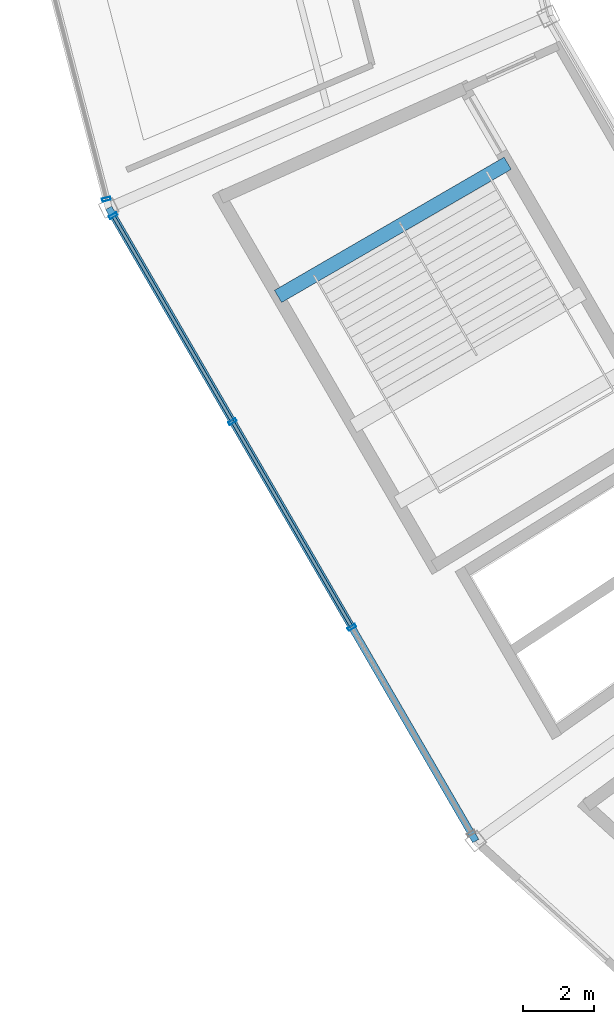
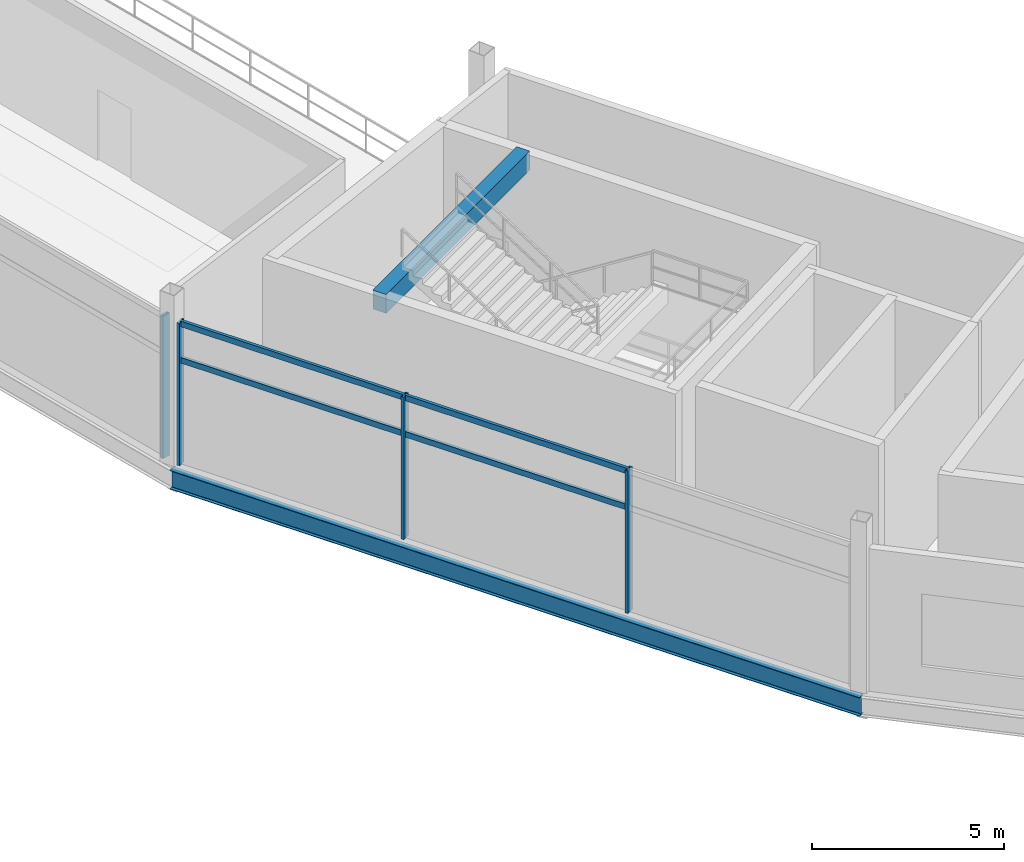
# One storey, part 17 of 103: 8 members, 2 beams, 2 elements without a shape of their own.
"""IFC4 building model written with IfcOpenShell, lengths in metres."""

from ifc_helpers import new_model, si_unit, direction, frame, origin, origin_2d, place, context, subcontext, project, spatial, rectangle, hollow_rectangle, i_section, extrude, material, layer, layer_set, material_profile, profile_set, type_object, element, aggregate, save


model = new_model("IFC4")

# Units and contexts
model_context = context("Model", 3, precision=1e-05, world=origin(), true_north=direction((0.0, 1.0)))
body_context = subcontext(model_context, "Body", "Model", "MODEL_VIEW")
ifc_project = project(units=[si_unit("LENGTHUNIT", "METRE"), si_unit("AREAUNIT", "SQUARE_METRE"), si_unit("VOLUMEUNIT", "CUBIC_METRE"), si_unit("PLANEANGLEUNIT", "RADIAN"), si_unit("MASSUNIT", "GRAM", prefix="KILO")], contexts=[model_context])

# Site, building, storey
site_placement = place(None, origin())
site = spatial("IfcSite", under=ifc_project, at=site_placement, CompositionType="ELEMENT")
building_placement = place(site_placement, origin())
building = spatial("IfcBuilding", under=site, at=building_placement, Name="Kazemori Nagisa Stadium", CompositionType="ELEMENT")
storey_placement = place(building_placement, frame((0.0, 0.0, 25.840087890625)))
storey = spatial("IfcBuildingStorey", under=building, at=storey_placement, Name="L05", CompositionType="ELEMENT", Elevation=25.840087890625)

# Beams
ifc_material_1 = material(Name="Concrete C40/50 (Fc42)", Category="concrete")
ifc_material_profile_1 = material_profile(ifc_material_1, rectangle(XDim=0.39990234375, YDim=0.60009765625, at=origin_2d()), Name="RC-BM-400x600")
ifc_profile_set_1 = profile_set([ifc_material_profile_1], Name="Concrete C40/50 (Fc42)")
beam_type_1 = type_object("IfcBeamType", Name="Beam_BG-LND400X600", PredefinedType="BEAM", material=ifc_profile_set_1)
beam_1_placement = place(storey_placement, frame((45.408203125, 64.5146484375, 4.8798828125), z_axis=(-0.865086463473, -0.50162277731, 0.0), x_axis=(0.50162277731, -0.865086463473, 0.0)))
element("IfcBeam", 1, at=beam_1_placement, inside=storey, type_object=beam_type_1, Name="Core stair arrival header girder ST09-L05", PredefinedType="BEAM", context=body_context, shape_type="SweptSolid", body=[
    extrude(rectangle(XDim=0.39990234375, YDim=0.60009765625, at=origin_2d()), origin(), (0.0, 0.0, 1.0), 7.513671875),
])
ifc_material_2 = material(Name="Steel SN490B", Category="steel")
ifc_material_profile_2 = material_profile(ifc_material_2, i_section(OverallWidth=0.199951171875, OverallDepth=0.60009765625, WebThickness=0.010986328125, FlangeThickness=0.01708984375, FilletRadius=0.012939453125, at=origin_2d()), Name="H-600x200x11x17")
ifc_profile_set_2 = profile_set([ifc_material_profile_2], Name="Steel SN490B")
beam_type_2 = type_object("IfcBeamType", Name="Beam_BS-H600", PredefinedType="SPANDREL", material=ifc_profile_set_2)
beam_2_placement = place(storey_placement, frame((34.114990234375, 63.25048828125, -0.56005859375), z_axis=(0.50161277459, -0.8650922635, 0.0), x_axis=(0.8650922635, 0.50161277459, 0.0)))
element("IfcBeam", 2, at=beam_2_placement, inside=storey, type_object=beam_type_2, Name="Ring girder BS-H600 L05 R3-17", PredefinedType="SPANDREL", context=body_context, shape_type="SweptSolid", body=[
    extrude(i_section(OverallWidth=0.199951171875, OverallDepth=0.60009765625, WebThickness=0.010986328125, FlangeThickness=0.01708984375, FilletRadius=0.012939453125, at=origin_2d()), origin(), (0.0, 0.0, 1.0), 20.71240234375),
])

# Curtain wall, member
ifc_material_3 = material(Name="Anodised aluminium 6063-T5", Category="aluminium")
ifc_layer_1 = layer(ifc_material_3, 0.239990234375, Name="Anodised aluminium 6063-T5", Category="aluminium")
ifc_layer_set_1 = layer_set([ifc_layer_1], Name="Anodised aluminium 6063-T5")
curtain_wall_type_1 = type_object("IfcCurtainWallType", Name="CW_L05R3_98", PredefinedType="USERDEFINED", material=ifc_layer_set_1)
curtain_wall_1_placement = place(storey_placement, origin())
curtain_wall_1 = element("IfcCurtainWall", 3, at=curtain_wall_1_placement, inside=storey, type_object=curtain_wall_type_1, Name="Unitised curtain wall CW-L05R3-98 L05", ObjectType="UNITISED CURTAIN WALL", PredefinedType="USERDEFINED")
ifc_material_4 = material(Name="Aluminium 6063-T5 anodised", Category="aluminium")
ifc_material_profile_3 = material_profile(ifc_material_4, hollow_rectangle(XDim=0.090087890625, YDim=0.239990234375, WallThickness=0.0048828125, at=origin_2d()), Name="ALU-MULL-90x240x5")
ifc_profile_set_3 = profile_set([ifc_material_profile_3], Name="Aluminium 6063-T5 anodised")
member_type_1 = type_object("IfcMemberType", Name="Mullion_M03", PredefinedType="MULLION", material=ifc_profile_set_3)
member_1_placement = place(storey_placement, frame((34.05126953125, 63.497314453125, 0.0), z_axis=(0.0, 0.0, 1.0), x_axis=(0.249964642418, -0.968254965152, 0.0)))
member_1 = element("IfcMember", 4, at=member_1_placement, type_object=member_type_1, Name="Curtain wall mullion CW-L05R3-98-M4", PredefinedType="MULLION", context=body_context, shape_type="SweptSolid", body=[
    extrude(hollow_rectangle(XDim=0.090087890625, YDim=0.239990234375, WallThickness=0.0048828125, at=origin_2d()), origin(), (0.0, 0.0, 1.0), 4.530029296875),
])
aggregate(curtain_wall_1, [member_1])

# Curtain wall, members
ifc_layer_2 = layer(ifc_material_3, 0.239990234375, Name="Anodised aluminium 6063-T5", Category="aluminium")
ifc_layer_set_2 = layer_set([ifc_layer_2], Name="Anodised aluminium 6063-T5")
curtain_wall_type_2 = type_object("IfcCurtainWallType", Name="CW_L05R3_101", PredefinedType="USERDEFINED", material=ifc_layer_set_2)
curtain_wall_2_placement = place(storey_placement, origin())
curtain_wall_2 = element("IfcCurtainWall", 5, at=curtain_wall_2_placement, inside=storey, type_object=curtain_wall_type_2, Name="Unitised curtain wall CW-L05R3-101 L05", ObjectType="UNITISED CURTAIN WALL", PredefinedType="USERDEFINED")
member_2_placement = place(storey_placement, frame((34.242919921875, 63.02978515625, 0.0), z_axis=(0.0, 0.0, 1.0), x_axis=(0.501611590054, -0.865092950337, 0.0)))
member_2 = element("IfcMember", 6, at=member_2_placement, type_object=member_type_1, Name="Curtain wall mullion CW-L05R3-101-M1", PredefinedType="MULLION", context=body_context, shape_type="SweptSolid", body=[
    extrude(hollow_rectangle(XDim=0.090087890625, YDim=0.239990234375, WallThickness=0.0048828125, at=origin_2d()), origin(), (0.0, 0.0, 1.0), 4.530029296875),
])
member_3_placement = place(storey_placement, frame((37.620849609375, 57.204345703125, 0.0), z_axis=(0.0, 0.0, 1.0), x_axis=(0.501611590054, -0.865092950337, 0.0)))
member_3 = element("IfcMember", 7, at=member_3_placement, type_object=member_type_1, Name="Curtain wall mullion CW-L05R3-101-M2", PredefinedType="MULLION", context=body_context, shape_type="SweptSolid", body=[
    extrude(hollow_rectangle(XDim=0.090087890625, YDim=0.239990234375, WallThickness=0.0048828125, at=origin_2d()), origin(), (0.0, 0.0, 1.0), 4.530029296875),
])
member_4_placement = place(storey_placement, frame((40.998779296875, 51.378662109375, 0.0), z_axis=(0.0, 0.0, 1.0), x_axis=(0.501611590054, -0.865092950337, 0.0)))
member_4 = element("IfcMember", 8, at=member_4_placement, type_object=member_type_1, Name="Curtain wall mullion CW-L05R3-101-M3", PredefinedType="MULLION", context=body_context, shape_type="SweptSolid", body=[
    extrude(hollow_rectangle(XDim=0.090087890625, YDim=0.239990234375, WallThickness=0.0048828125, at=origin_2d()), origin(), (0.0, 0.0, 1.0), 4.530029296875),
])
ifc_material_profile_4 = material_profile(ifc_material_4, hollow_rectangle(XDim=0.090087890625, YDim=0.179931640625, WallThickness=0.0048828125, at=origin_2d()), Name="ALU-TRAN-90x180x5")
ifc_profile_set_4 = profile_set([ifc_material_profile_4], Name="Aluminium 6063-T5 anodised")
member_type_2 = type_object("IfcMemberType", Name="Transom_T03", PredefinedType="USERDEFINED", material=ifc_profile_set_4)
member_5_placement = place(storey_placement, frame((34.2529296875, 63.012451171875, 3.306884765625), z_axis=(0.50161984125, -0.865088165948, 0.0), x_axis=(0.865088165948, 0.50161984125, 0.0)))
member_5 = element("IfcMember", 9, at=member_5_placement, type_object=member_type_2, Name="Curtain wall transom CW-L05R3-101-T1-mid", ObjectType="TRANSOM", PredefinedType="USERDEFINED", context=body_context, shape_type="SweptSolid", body=[
    extrude(hollow_rectangle(XDim=0.090087890625, YDim=0.179931640625, WallThickness=0.0048828125, at=origin_2d()), origin(), (0.0, 0.0, 1.0), 6.694091796875),
])
member_6_placement = place(storey_placement, frame((34.2529296875, 63.012451171875, 4.4599609375), z_axis=(0.50161984125, -0.865088165948, 0.0), x_axis=(0.865088165948, 0.50161984125, 0.0)))
member_6 = element("IfcMember", 10, at=member_6_placement, type_object=member_type_2, Name="Curtain wall transom CW-L05R3-101-T1-head", ObjectType="TRANSOM", PredefinedType="USERDEFINED", context=body_context, shape_type="SweptSolid", body=[
    extrude(hollow_rectangle(XDim=0.090087890625, YDim=0.179931640625, WallThickness=0.0048828125, at=origin_2d()), origin(), (0.0, 0.0, 1.0), 6.694091796875),
])
member_7_placement = place(storey_placement, frame((37.630859375, 57.18701171875, 3.306884765625), z_axis=(0.50161984125, -0.865088165948, 0.0), x_axis=(0.865088165948, 0.50161984125, 0.0)))
member_7 = element("IfcMember", 11, at=member_7_placement, type_object=member_type_2, Name="Curtain wall transom CW-L05R3-101-T2-mid", ObjectType="TRANSOM", PredefinedType="USERDEFINED", context=body_context, shape_type="SweptSolid", body=[
    extrude(hollow_rectangle(XDim=0.090087890625, YDim=0.179931640625, WallThickness=0.0048828125, at=origin_2d()), origin(), (0.0, 0.0, 1.0), 6.694091796875),
])
member_8_placement = place(storey_placement, frame((37.630859375, 57.18701171875, 4.4599609375), z_axis=(0.50161984125, -0.865088165948, 0.0), x_axis=(0.865088165948, 0.50161984125, 0.0)))
member_8 = element("IfcMember", 12, at=member_8_placement, type_object=member_type_2, Name="Curtain wall transom CW-L05R3-101-T2-head", ObjectType="TRANSOM", PredefinedType="USERDEFINED", context=body_context, shape_type="SweptSolid", body=[
    extrude(hollow_rectangle(XDim=0.090087890625, YDim=0.179931640625, WallThickness=0.0048828125, at=origin_2d()), origin(), (0.0, 0.0, 1.0), 6.694091796875),
])
aggregate(curtain_wall_2, [member_2, member_3, member_4, member_5, member_6, member_7, member_8])

save(model, "model.ifc")
